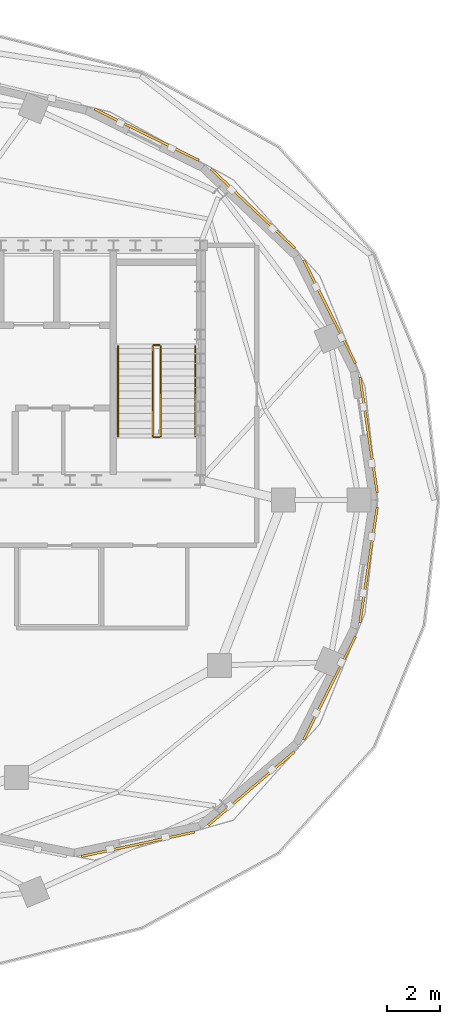
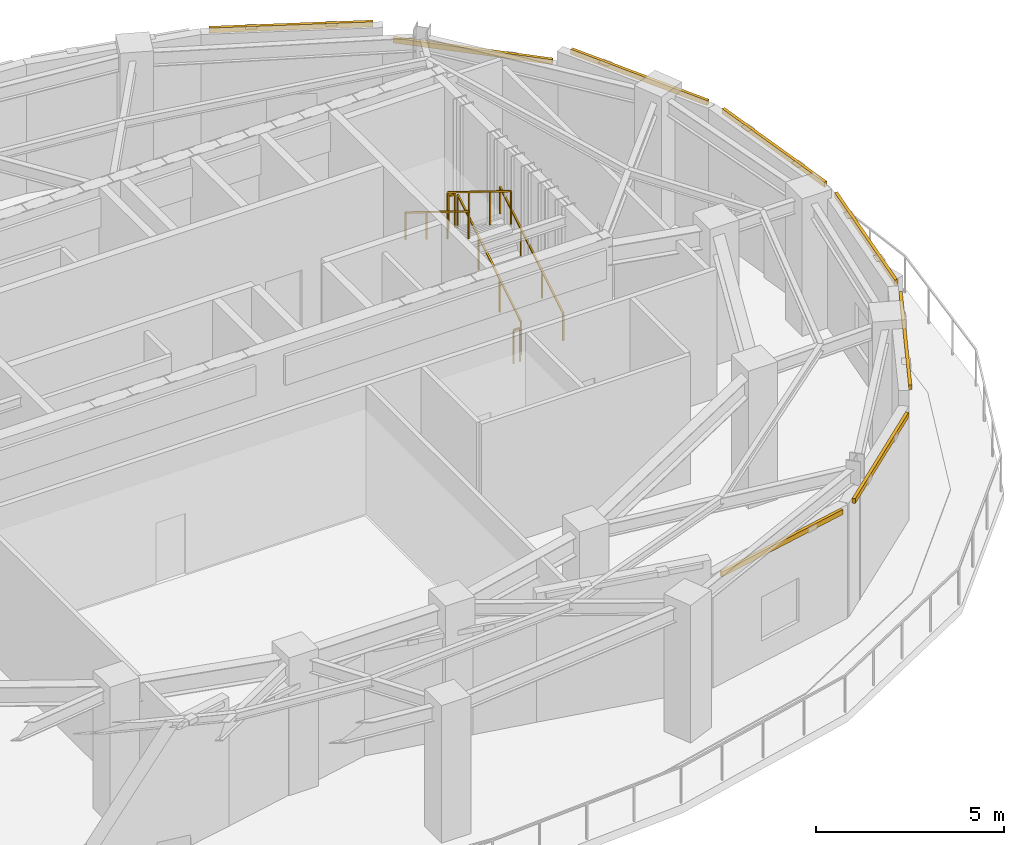
# One storey, part 8 of 8: 8 coverings, 6 railings.
"""IFC4 building model written with IfcOpenShell, lengths in metres."""

from ifc_helpers import new_model, si_unit, direction, frame, origin, origin_2d, place, context, subcontext, project, spatial, polyline, rectangle, outline, extrude, material, layer, layer_set, type_object, element, save


model = new_model("IFC4")

# Units and contexts
model_context = context("Model", 3, precision=1e-05, world=origin(), true_north=direction((0.0, 1.0)))
body_context = subcontext(model_context, "Body", "Model", "MODEL_VIEW")
ifc_project = project(units=[si_unit("LENGTHUNIT", "METRE"), si_unit("AREAUNIT", "SQUARE_METRE"), si_unit("VOLUMEUNIT", "CUBIC_METRE"), si_unit("PLANEANGLEUNIT", "RADIAN"), si_unit("MASSUNIT", "GRAM", prefix="KILO")], contexts=[model_context])

# Site, building, storey
site_placement = place(None, origin())
site = spatial("IfcSite", under=ifc_project, at=site_placement, CompositionType="ELEMENT")
building_placement = place(site_placement, origin())
building = spatial("IfcBuilding", under=site, at=building_placement, Name="Haldorwick Loom Tower", CompositionType="ELEMENT")
storey_placement = place(building_placement, frame((0.0, 0.0, 291.5)))
storey = spatial("IfcBuildingStorey", under=building, at=storey_placement, Name="L78", CompositionType="ELEMENT", Elevation=291.5)

# Coverings
ifc_material_1 = material(Name="Corbelled Pressed Clay Face Brick Veneer", Category="masonry")
ifc_layer = layer(ifc_material_1, 0.090087890625, Name="Corbelled Pressed Clay Face Brick Veneer", Category="masonry")
ifc_layer_set = layer_set([ifc_layer], Name="Corbelled Pressed Clay Face Brick Veneer")
covering_type = type_object("IfcCoveringType", Name="ARC-COV-BRICK090", PredefinedType="CLADDING", material=ifc_layer_set)
covering_1_placement = place(storey_placement, frame((0.0, 0.0, 4.06005859375)))
element("IfcCovering", 1, at=covering_1_placement, inside=storey, type_object=covering_type, Name="L78 Head Face-Brick Lintel Band 1", PredefinedType="CLADDING", context=body_context, shape_type="SweptSolid", body=[
    extrude(outline(polyline([(56.763916015625, 26.28125), (56.11669921875, 30.597900390625), (56.027587890625, 30.58447265625), (56.675048828125, 26.26806640625), (56.763916015625, 26.28125)])), origin(), (0.0, 0.0, 1.0), 0.159912109375),
])
covering_2_placement = place(storey_placement, frame((0.0, 0.0, 4.06005859375)))
element("IfcCovering", 2, at=covering_2_placement, inside=storey, type_object=covering_type, Name="L78 Head Face-Brick Lintel Band 2", PredefinedType="CLADDING", context=body_context, shape_type="SweptSolid", body=[
    extrude(outline(polyline([(55.94580078125, 31.137451171875), (54.00341796875, 35.013427734375), (53.923095703125, 34.97314453125), (55.865478515625, 31.09716796875), (55.94580078125, 31.137451171875)])), origin(), (0.0, 0.0, 1.0), 0.159912109375),
])
covering_3_placement = place(storey_placement, frame((0.0, 0.0, 3.569091796875)))
element("IfcCovering", 3, at=covering_3_placement, inside=storey, type_object=covering_type, Name="L78 Head Face-Brick Lintel Band 3", PredefinedType="CLADDING", context=body_context, shape_type="SweptSolid", body=[
    extrude(outline(polyline([(53.662109375, 35.472900390625), (50.512451171875, 38.452392578125), (50.450439453125, 38.386962890625), (53.600341796875, 35.407470703125), (53.662109375, 35.472900390625)])), origin(), (0.0, 0.0, 1.0), 0.159912109375),
])
covering_4_placement = place(storey_placement, frame((0.0, 0.0, 4.06005859375)))
element("IfcCovering", 4, at=covering_4_placement, inside=storey, type_object=covering_type, Name="L78 Head Face-Brick Lintel Band 4", PredefinedType="CLADDING", context=body_context, shape_type="SweptSolid", body=[
    extrude(outline(polyline([(50.050048828125, 38.77392578125), (46.13818359375, 40.701171875), (46.098388671875, 40.620361328125), (50.01025390625, 38.693115234375), (50.050048828125, 38.77392578125)])), origin(), (0.0, 0.0, 1.0), 0.159912109375),
])
covering_5_placement = place(storey_placement, frame((0.0, 0.0, 3.569091796875)))
element("IfcCovering", 5, at=covering_5_placement, inside=storey, type_object=covering_type, Name="L78 Head Face-Brick Lintel Band 21", PredefinedType="CLADDING", context=body_context, shape_type="SweptSolid", body=[
    extrude(outline(polyline([(45.648193359375, 12.59619140625), (49.876220703125, 13.50634765625), (49.857177734375, 13.594482421875), (45.62939453125, 12.68408203125), (45.648193359375, 12.59619140625)])), origin(), (0.0, 0.0, 1.0), 0.159912109375),
])
covering_6_placement = place(storey_placement, frame((0.0, 0.0, 3.569091796875)))
element("IfcCovering", 6, at=covering_6_placement, inside=storey, type_object=covering_type, Name="L78 Head Face-Brick Lintel Band 22", PredefinedType="CLADDING", context=body_context, shape_type="SweptSolid", body=[
    extrude(outline(polyline([(50.41162109375, 13.77099609375), (53.644775390625, 16.52880859375), (53.58642578125, 16.597412109375), (50.353271484375, 13.839599609375), (50.41162109375, 13.77099609375)])), origin(), (0.0, 0.0, 1.0), 0.159912109375),
])
covering_7_placement = place(storey_placement, frame((0.0, 0.0, 4.06005859375)))
element("IfcCovering", 7, at=covering_7_placement, inside=storey, type_object=covering_type, Name="L78 Head Face-Brick Lintel Band 23", PredefinedType="CLADDING", context=body_context, shape_type="SweptSolid", body=[
    extrude(outline(polyline([(54.00341796875, 16.986572265625), (55.94580078125, 20.862548828125), (55.865478515625, 20.90283203125), (53.923095703125, 17.02685546875), (54.00341796875, 16.986572265625)])), origin(), (0.0, 0.0, 1.0), 0.159912109375),
])
covering_8_placement = place(storey_placement, frame((0.0, 0.0, 4.06005859375)))
element("IfcCovering", 8, at=covering_8_placement, inside=storey, type_object=covering_type, Name="L78 Head Face-Brick Lintel Band 24", PredefinedType="CLADDING", context=body_context, shape_type="SweptSolid", body=[
    extrude(outline(polyline([(56.11669921875, 21.402099609375), (56.763916015625, 25.71875), (56.675048828125, 25.73193359375), (56.027587890625, 21.41552734375), (56.11669921875, 21.402099609375)])), origin(), (0.0, 0.0, 1.0), 0.159912109375),
])

# Railings
ifc_material_2 = material(Name="Steel CSA G40.21 350W", Category="steel")
railing_type_1 = type_object("IfcRailingType", Name="ARC-RLG-GUARD112", PredefinedType="GUARDRAIL", material=ifc_material_2)
railing_1_placement = place(storey_placement, frame((48.60009765625, 28.39990234375, 0.173095703125)))
element("IfcRailing", 9, at=railing_1_placement, inside=storey, type_object=railing_type_1, Name="L78 ST-02 stair guard 1", PredefinedType="GUARDRAIL", context=body_context, shape_type="SweptSolid", body=[
    extrude(rectangle(XDim=0.048095703125, YDim=0.048095703125, at=origin_2d()), frame((0.0, 0.0, 1.076171875), z_axis=(0.0, 0.850623216509, 0.525775754039), x_axis=(-1.0, 0.0, 0.0)), (0.0, 0.0, 1.0), 3.9501953125),
    extrude(rectangle(XDim=0.0419921875, YDim=0.0419921875, at=origin_2d()), origin(), (0.0, 0.0, 1.0), 1.052001953125),
    extrude(rectangle(XDim=0.0419921875, YDim=0.0419921875, at=origin_2d()), frame((0.0, 1.1201171875, 0.6923828125)), (0.0, 0.0, 1.0), 1.052001953125),
    extrude(rectangle(XDim=0.0419921875, YDim=0.0419921875, at=origin_2d()), frame((0.0, 2.239990234375, 1.384521484375)), (0.0, 0.0, 1.0), 1.052001953125),
    extrude(rectangle(XDim=0.0419921875, YDim=0.0419921875, at=origin_2d()), frame((0.0, 3.360107421875, 2.076904296875)), (0.0, 0.0, 1.0), 1.052001953125),
])
railing_2_placement = place(storey_placement, frame((48.550048828125, 31.81005859375, 2.25)))
element("IfcRailing", 10, at=railing_2_placement, inside=storey, type_object=railing_type_1, Name="L78 ST-02 stair guard 2", PredefinedType="GUARDRAIL", context=body_context, shape_type="SweptSolid", body=[
    extrude(rectangle(XDim=0.048095703125, YDim=0.048095703125, at=origin_2d()), frame((0.0, 0.0, 1.076171875), z_axis=(-1.0, 0.0, 0.0), x_axis=(0.0, -1.0, 0.0)), (0.0, 0.0, 1.0), 0.199951171875),
    extrude(rectangle(XDim=0.0419921875, YDim=0.0419921875, at=origin_2d()), origin(), (0.0, 0.0, 1.0), 1.052001953125),
    extrude(rectangle(XDim=0.0419921875, YDim=0.0419921875, at=origin_2d()), frame((-0.199951171875, 0.0, 0.0)), (0.0, 0.0, 1.0), 1.052001953125),
])
railing_3_placement = place(storey_placement, frame((48.300048828125, 31.760009765625, 2.423095703125)))
element("IfcRailing", 11, at=railing_3_placement, inside=storey, type_object=railing_type_1, Name="L78 ST-02 stair guard 3", PredefinedType="GUARDRAIL", context=body_context, shape_type="SweptSolid", body=[
    extrude(rectangle(XDim=0.048095703125, YDim=0.048095703125, at=origin_2d()), frame((0.0, 0.0, 1.076171875), z_axis=(0.0, -0.850623216509, 0.525775754039), x_axis=(1.0, 0.0, 0.0)), (0.0, 0.0, 1.0), 3.9501953125),
    extrude(rectangle(XDim=0.0419921875, YDim=0.0419921875, at=origin_2d()), origin(), (0.0, 0.0, 1.0), 1.052001953125),
    extrude(rectangle(XDim=0.0419921875, YDim=0.0419921875, at=origin_2d()), frame((0.0, -1.1201171875, 0.6923828125)), (0.0, 0.0, 1.0), 1.052001953125),
    extrude(rectangle(XDim=0.0419921875, YDim=0.0419921875, at=origin_2d()), frame((0.0, -2.239990234375, 1.384521484375)), (0.0, 0.0, 1.0), 1.052001953125),
    extrude(rectangle(XDim=0.0419921875, YDim=0.0419921875, at=origin_2d()), frame((0.0, -3.360107421875, 2.076904296875)), (0.0, 0.0, 1.0), 1.052001953125),
])
railing_4_placement = place(storey_placement, frame((48.550048828125, 28.35009765625, 0.0)))
element("IfcRailing", 12, at=railing_4_placement, inside=storey, type_object=railing_type_1, Name="L78 ST-02 stair guard 4", PredefinedType="GUARDRAIL", context=body_context, shape_type="SweptSolid", body=[
    extrude(rectangle(XDim=0.048095703125, YDim=0.048095703125, at=origin_2d()), frame((0.0, 0.0, 1.076171875), z_axis=(-1.0, 0.0, 0.0), x_axis=(0.0, -1.0, 0.0)), (0.0, 0.0, 1.0), 0.199951171875),
    extrude(rectangle(XDim=0.0419921875, YDim=0.0419921875, at=origin_2d()), origin(), (0.0, 0.0, 1.0), 1.052001953125),
    extrude(rectangle(XDim=0.0419921875, YDim=0.0419921875, at=origin_2d()), frame((-0.199951171875, 0.0, 0.0)), (0.0, 0.0, 1.0), 1.052001953125),
])
railing_type_2 = type_object("IfcRailingType", Name="ARC-RLG-HAND092", PredefinedType="HANDRAIL", material=ifc_material_2)
railing_5_placement = place(storey_placement, frame((49.89990234375, 28.39990234375, 0.173095703125)))
element("IfcRailing", 13, at=railing_5_placement, inside=storey, type_object=railing_type_2, Name="L78 ST-02 stair handrail 1", PredefinedType="HANDRAIL", context=body_context, shape_type="SweptSolid", body=[
    extrude(rectangle(XDim=0.048095703125, YDim=0.048095703125, at=origin_2d()), frame((0.0, 0.0, 0.8759765625), z_axis=(0.0, 0.850623216509, 0.525775754039), x_axis=(-1.0, 0.0, 0.0)), (0.0, 0.0, 1.0), 3.9501953125),
    extrude(rectangle(XDim=0.0419921875, YDim=0.0419921875, at=origin_2d()), origin(), (0.0, 0.0, 1.0), 0.851806640625),
    extrude(rectangle(XDim=0.0419921875, YDim=0.0419921875, at=origin_2d()), frame((0.0, 1.1201171875, 0.6923828125)), (0.0, 0.0, 1.0), 0.851806640625),
    extrude(rectangle(XDim=0.0419921875, YDim=0.0419921875, at=origin_2d()), frame((0.0, 2.239990234375, 1.384521484375)), (0.0, 0.0, 1.0), 0.851806640625),
    extrude(rectangle(XDim=0.0419921875, YDim=0.0419921875, at=origin_2d()), frame((0.0, 3.360107421875, 2.076904296875)), (0.0, 0.0, 1.0), 0.851806640625),
])
railing_6_placement = place(storey_placement, frame((47.0, 31.760009765625, 2.423095703125)))
element("IfcRailing", 14, at=railing_6_placement, inside=storey, type_object=railing_type_2, Name="L78 ST-02 stair handrail 2", PredefinedType="HANDRAIL", context=body_context, shape_type="SweptSolid", body=[
    extrude(rectangle(XDim=0.048095703125, YDim=0.048095703125, at=origin_2d()), frame((0.0, 0.0, 0.8759765625), z_axis=(0.0, -0.850623216509, 0.525775754039), x_axis=(1.0, 0.0, 0.0)), (0.0, 0.0, 1.0), 3.9501953125),
    extrude(rectangle(XDim=0.0419921875, YDim=0.0419921875, at=origin_2d()), origin(), (0.0, 0.0, 1.0), 0.851806640625),
    extrude(rectangle(XDim=0.0419921875, YDim=0.0419921875, at=origin_2d()), frame((0.0, -1.1201171875, 0.6923828125)), (0.0, 0.0, 1.0), 0.851806640625),
    extrude(rectangle(XDim=0.0419921875, YDim=0.0419921875, at=origin_2d()), frame((0.0, -2.239990234375, 1.384521484375)), (0.0, 0.0, 1.0), 0.851806640625),
    extrude(rectangle(XDim=0.0419921875, YDim=0.0419921875, at=origin_2d()), frame((0.0, -3.360107421875, 2.076904296875)), (0.0, 0.0, 1.0), 0.851806640625),
])

save(model, "model.ifc")
